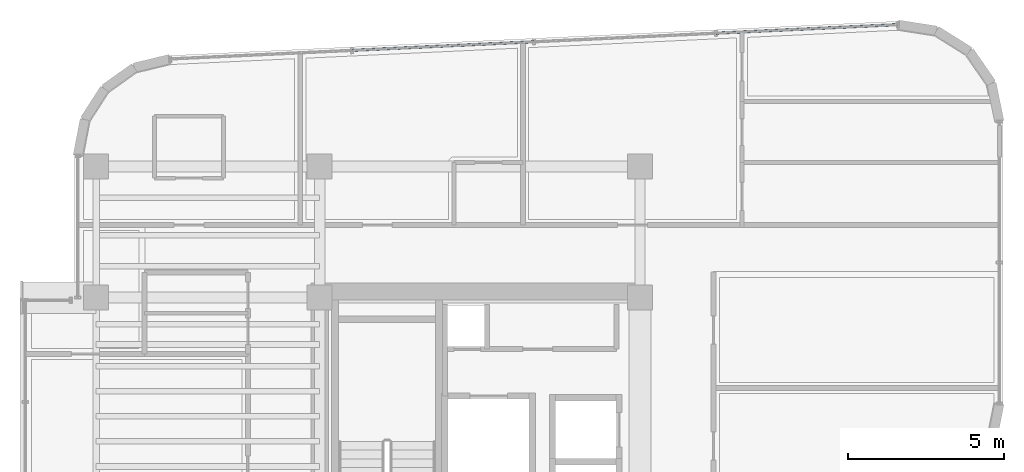
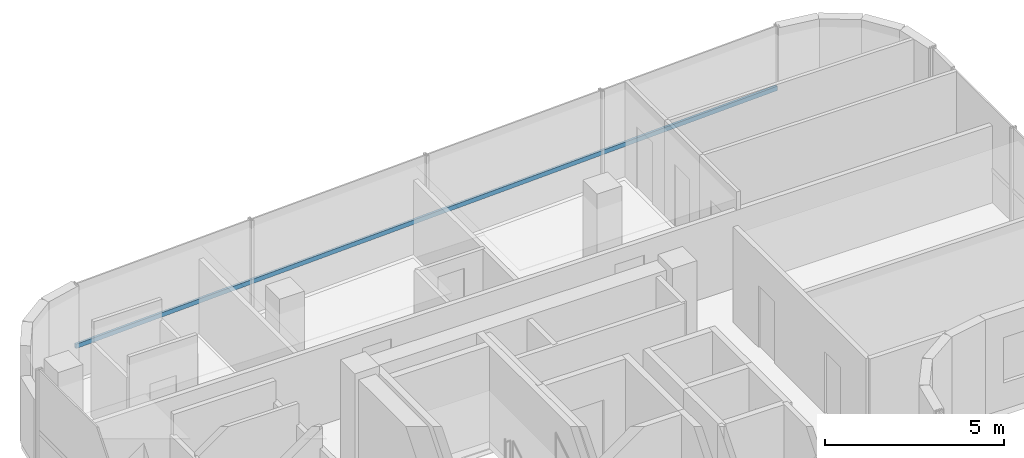
# One storey, part 11 of 18: 1 member, 1 element without a shape of its own.
"""IFC4 building model written with IfcOpenShell, lengths in metres."""

from ifc_helpers import new_model, si_unit, direction, frame, origin, origin_2d, place, context, subcontext, project, spatial, hollow_rectangle, extrude, source, transform, mapped, material, material_profile, profile_set, type_object, element, aggregate, save


model = new_model("IFC4")

# Units and contexts
model_context = context("Model", 3, precision=1e-05, world=origin(), true_north=direction((0.0, 1.0)))
body_context = subcontext(model_context, "Body", "Model", "MODEL_VIEW")
ifc_project = project(units=[si_unit("LENGTHUNIT", "METRE"), si_unit("AREAUNIT", "SQUARE_METRE"), si_unit("VOLUMEUNIT", "CUBIC_METRE"), si_unit("PLANEANGLEUNIT", "RADIAN"), si_unit("MASSUNIT", "GRAM", prefix="KILO")], contexts=[model_context])

# Site, building, storey
site_placement = place(None, origin())
site = spatial("IfcSite", under=ifc_project, at=site_placement, CompositionType="ELEMENT")
building_placement = place(site_placement, origin())
building = spatial("IfcBuilding", under=site, at=building_placement, Name="Valdorenza Pilgrim Sanctuary Tower", CompositionType="ELEMENT")
storey_placement = place(building_placement, frame((0.0, 0.0, 247.5)))
storey = spatial("IfcBuildingStorey", under=building, at=storey_placement, Name="L64", CompositionType="ELEMENT", Elevation=247.5)

# Curtain wall, member
ifc_material_1 = material(Name="Curtain-wall IGU glazing", Category="glass")
curtain_wall_type = type_object("IfcCurtainWallType", Name="CW-SYS-02", PredefinedType="NOTDEFINED", material=ifc_material_1)
curtain_wall_placement = place(storey_placement, origin())
curtain_wall = element("IfcCurtainWall", 1, at=curtain_wall_placement, inside=storey, type_object=curtain_wall_type, Name="L64 Curtain Wall CW-L64-1-6", PredefinedType="NOTDEFINED")
ifc_material_2 = material(Name="Anodised aluminium AW-6060", Category="aluminium")
ifc_material_profile = material_profile(ifc_material_2, hollow_rectangle(XDim=0.074951171875, YDim=0.14990234375, WallThickness=0.00390625, at=origin_2d()), Name="ALU-T 150x75x4")
ifc_profile_set = profile_set([ifc_material_profile], Name="Anodised aluminium AW-6060")
member_type = type_object("IfcMemberType", Name="CW-TRN-02", PredefinedType="USERDEFINED", material=ifc_profile_set)
shared_shape = source(origin(), body_context, "Body", "SweptSolid", [
    extrude(hollow_rectangle(XDim=0.074951171875, YDim=0.14990234375, WallThickness=0.00390625, at=origin_2d()), origin(), (0.0, 0.0, 1.0), 23.30419921875),
])
member_placement = place(storey_placement, frame((-27.43505859375, 18.234375, 1.1201171875), z_axis=(0.998890613053, 0.04709079693, 0.0), x_axis=(-0.04709079693, 0.998890613053, 0.0)))
member = element("IfcMember", 2, at=member_placement, type_object=member_type, Name="CW-L64-1-6 Transom 1", ObjectType="TRANSOM", PredefinedType="USERDEFINED", context=body_context, shape_type="MappedRepresentation", body=[
    mapped(shared_shape, transform((0.0, 0.0, 0.0), x_axis=(1.0, 0.0, 0.0), y_axis=(0.0, 1.0, 0.0), z_axis=(0.0, 0.0, 1.0), scale=1.0)),
])
aggregate(curtain_wall, [member])

save(model, "model.ifc")
